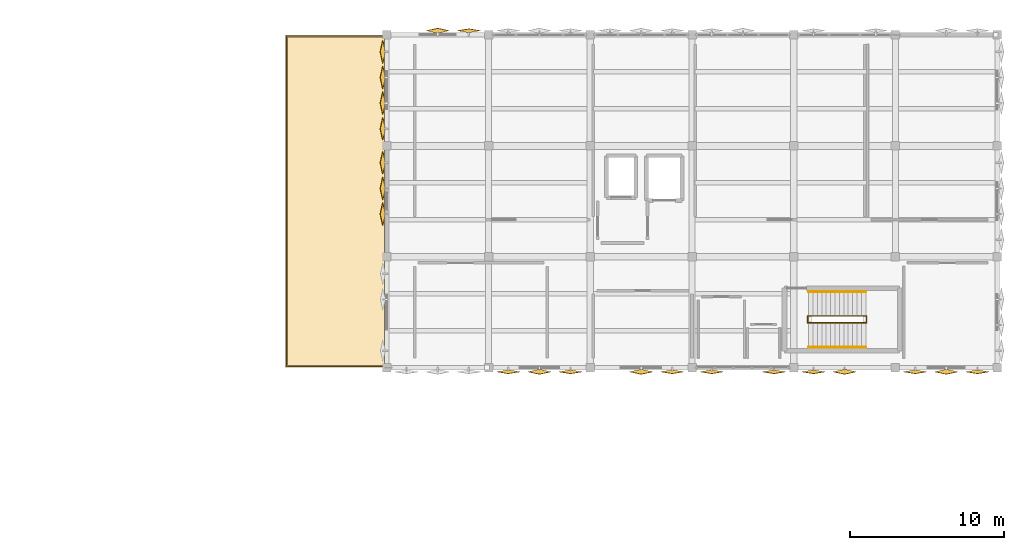
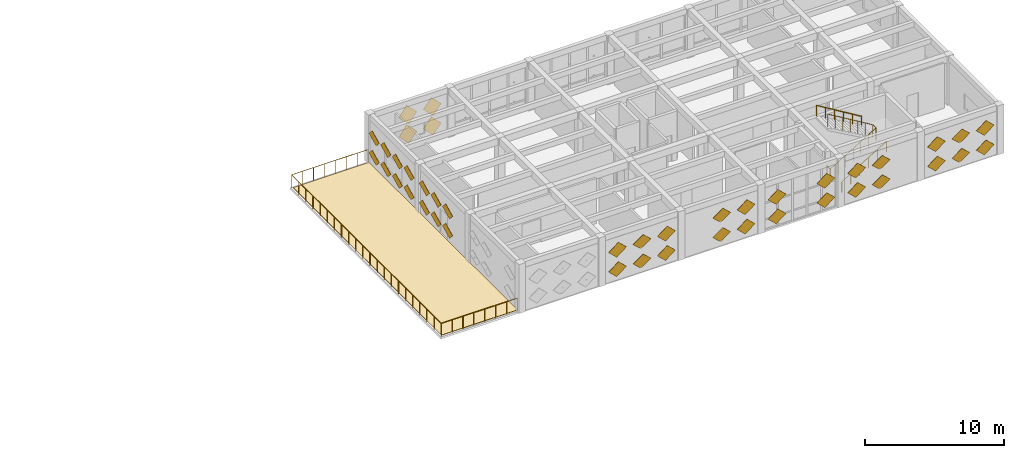
# One storey, part 38 of 39: 43 coverings, 5 railings.
"""IFC4 building model written with IfcOpenShell, lengths in metres."""

from ifc_helpers import new_model, si_unit, direction, frame, origin, origin_2d, place, context, subcontext, project, spatial, polyline, circle, outline, extrude, material, layer, layer_set, type_object, element, save


model = new_model("IFC4")

# Units and contexts
model_context = context("Model", 3, precision=1e-05, world=origin(), true_north=direction((0.0, 1.0)))
body_context = subcontext(model_context, "Body", "Model", "MODEL_VIEW")
ifc_project = project(units=[si_unit("LENGTHUNIT", "METRE"), si_unit("AREAUNIT", "SQUARE_METRE"), si_unit("VOLUMEUNIT", "CUBIC_METRE"), si_unit("PLANEANGLEUNIT", "RADIAN"), si_unit("MASSUNIT", "GRAM", prefix="KILO")], contexts=[model_context])

# Site, building, storey
site_placement = place(None, origin())
site = spatial("IfcSite", under=ifc_project, at=site_placement, CompositionType="ELEMENT")
building_placement = place(site_placement, origin())
building = spatial("IfcBuilding", under=site, at=building_placement, Name="Kharisveld Research Institute", CompositionType="ELEMENT")
storey_placement = place(building_placement, frame((0.0, 0.0, 23.10009765625)))
storey = spatial("IfcBuildingStorey", under=building, at=storey_placement, Name="L05", CompositionType="ELEMENT", Elevation=23.10009765625)

# Covering
ifc_material_1 = material(Name="High-Albedo TPO Roof Membrane", Category="mineral")
ifc_layer = layer(ifc_material_1, 0.034912109375)
ifc_layer_set = layer_set([ifc_layer], Name="CV_ROOF_EPDM")
covering_type_1 = type_object("IfcCoveringType", Name="CV_ROOF_EPDM", PredefinedType="ROOFING", material=ifc_layer_set)
covering_1_placement = place(storey_placement, origin())
element("IfcCovering", 1, at=covering_1_placement, inside=storey, type_object=covering_type_1, Name="COV:V2:L05:TERMEM", PredefinedType="ROOFING", context=body_context, shape_type="SweptSolid", body=[
    extrude(outline(polyline([(114.75, 39.35009765625), (121.050048828125, 39.35009765625), (121.050048828125, 60.64990234375), (114.75, 60.64990234375), (114.75, 39.35009765625)])), origin(), (0.0, 0.0, 1.0), 0.034912109375),
])

# Railings
ifc_material_2 = material(Name="Steel S355JR", Category="steel")
railing_type_1 = type_object("IfcRailingType", Name="RL_GRD_STR", PredefinedType="GUARDRAIL", material=ifc_material_2)
railing_1_placement = place(storey_placement, frame((148.570068359375, 42.110107421875, 0.0)))
element("IfcRailing", 2, at=railing_1_placement, inside=storey, type_object=railing_type_1, Name="RLG:ST3:L05:GRD_SLOT", PredefinedType="GUARDRAIL", context=body_context, shape_type="SweptSolid", body=[
    extrude(circle(Radius=0.02392578125, at=origin_2d()), frame((0.0, 0.0, 1.09619140625), z_axis=(0.857182128291, 0.0, 0.515013396853), x_axis=(0.0, 1.0, 0.0)), (0.0, 0.0, 1.0), 4.368896484375),
    extrude(circle(Radius=0.02392578125, at=origin_2d()), frame((3.744873046875, 0.0, 3.34619140625), z_axis=(0.0, 1.0, 0.0), x_axis=(-1.0, 0.0, 0.0)), (0.0, 0.0, 1.0), 0.43994140625),
    extrude(circle(Radius=0.02392578125, at=origin_2d()), frame((3.744873046875, 0.43994140625, 3.34619140625), z_axis=(-0.857182128291, 0.0, 0.515013396853), x_axis=(0.0, -1.0, 0.0)), (0.0, 0.0, 1.0), 4.368896484375),
    extrude(circle(Radius=0.02099609375, at=origin_2d()), origin(), (0.0, 0.0, 1.0), 1.072021484375),
    extrude(circle(Radius=0.02099609375, at=origin_2d()), frame((0.6240234375, 0.0, 0.375)), (0.0, 0.0, 1.0), 1.072021484375),
    extrude(circle(Radius=0.02099609375, at=origin_2d()), frame((1.248291015625, 0.0, 0.75)), (0.0, 0.0, 1.0), 1.072021484375),
    extrude(circle(Radius=0.02099609375, at=origin_2d()), frame((1.87255859375, 0.0, 1.125)), (0.0, 0.0, 1.0), 1.072021484375),
    extrude(circle(Radius=0.02099609375, at=origin_2d()), frame((2.49658203125, 0.0, 1.5)), (0.0, 0.0, 1.0), 1.072021484375),
    extrude(circle(Radius=0.02099609375, at=origin_2d()), frame((3.12060546875, 0.0, 1.875)), (0.0, 0.0, 1.0), 1.072021484375),
    extrude(circle(Radius=0.02099609375, at=origin_2d()), frame((3.744873046875, 0.0, 2.25)), (0.0, 0.0, 1.0), 1.072021484375),
    extrude(circle(Radius=0.02099609375, at=origin_2d()), frame((3.744873046875, 0.43994140625, 2.25)), (0.0, 0.0, 1.0), 1.072021484375),
    extrude(circle(Radius=0.02099609375, at=origin_2d()), frame((3.12060546875, 0.43994140625, 2.625)), (0.0, 0.0, 1.0), 1.072021484375),
    extrude(circle(Radius=0.02099609375, at=origin_2d()), frame((2.49658203125, 0.43994140625, 3.0)), (0.0, 0.0, 1.0), 1.072021484375),
    extrude(circle(Radius=0.02099609375, at=origin_2d()), frame((1.87255859375, 0.43994140625, 3.375)), (0.0, 0.0, 1.0), 1.072021484375),
    extrude(circle(Radius=0.02099609375, at=origin_2d()), frame((1.248291015625, 0.43994140625, 3.75)), (0.0, 0.0, 1.0), 1.072021484375),
    extrude(circle(Radius=0.02099609375, at=origin_2d()), frame((0.6240234375, 0.43994140625, 4.125)), (0.0, 0.0, 1.0), 1.072021484375),
    extrude(circle(Radius=0.02099609375, at=origin_2d()), frame((0.0, 0.43994140625, 4.5)), (0.0, 0.0, 1.0), 1.072021484375),
])
railing_2_placement = place(storey_placement, frame((148.510009765625, 42.110107421875, 0.0)))
element("IfcRailing", 3, at=railing_2_placement, inside=storey, type_object=railing_type_1, Name="RLG:ST3:L05:GRD_FLRSLOT", PredefinedType="GUARDRAIL", context=body_context, shape_type="SweptSolid", body=[
    extrude(circle(Radius=0.02392578125, at=origin_2d()), frame((0.0, 0.0, 1.09619140625), z_axis=(0.0, 1.0, 0.0), x_axis=(-1.0, 0.0, 0.0)), (0.0, 0.0, 1.0), 0.43994140625),
    extrude(circle(Radius=0.02099609375, at=origin_2d()), origin(), (0.0, 0.0, 1.0), 1.072021484375),
    extrude(circle(Radius=0.02099609375, at=origin_2d()), frame((0.0, 0.43994140625, 0.0)), (0.0, 0.0, 1.0), 1.072021484375),
])
ifc_material_3 = material(Name="Steel S355JR", Category="steel")
railing_type_2 = type_object("IfcRailingType", Name="RL_GRD_TER", PredefinedType="GUARDRAIL", material=ifc_material_3)
railing_3_placement = place(storey_placement, frame((121.0, 60.719970703125, 0.0)))
element("IfcRailing", 4, at=railing_3_placement, inside=storey, type_object=railing_type_2, Name="RLG:V2:L05:TERRACE", PredefinedType="GUARDRAIL", context=body_context, shape_type="SweptSolid", body=[
    extrude(circle(Radius=0.02392578125, at=origin_2d()), frame((0.0, 0.0, 1.1259765625), z_axis=(-1.0, 0.0, 0.0), x_axis=(0.0, -1.0, 0.0)), (0.0, 0.0, 1.0), 6.320068359375),
    extrude(circle(Radius=0.02392578125, at=origin_2d()), frame((-6.320068359375, 0.0, 1.1259765625), z_axis=(0.0, -1.0, 0.0), x_axis=(1.0, 0.0, 0.0)), (0.0, 0.0, 1.0), 21.43994140625),
    extrude(circle(Radius=0.02392578125, at=origin_2d()), frame((-6.320068359375, -21.43994140625, 1.1259765625), z_axis=(1.0, 0.0, 0.0), x_axis=(0.0, 1.0, 0.0)), (0.0, 0.0, 1.0), 6.320068359375),
    extrude(circle(Radius=0.02099609375, at=origin_2d()), origin(), (0.0, 0.0, 1.0), 1.101806640625),
    extrude(circle(Radius=0.02099609375, at=origin_2d()), frame((-0.90283203125, 0.0, 0.0)), (0.0, 0.0, 1.0), 1.101806640625),
    extrude(circle(Radius=0.02099609375, at=origin_2d()), frame((-1.8056640625, 0.0, 0.0)), (0.0, 0.0, 1.0), 1.101806640625),
    extrude(circle(Radius=0.02099609375, at=origin_2d()), frame((-2.70849609375, 0.0, 0.0)), (0.0, 0.0, 1.0), 1.101806640625),
    extrude(circle(Radius=0.02099609375, at=origin_2d()), frame((-3.611572265625, 0.0, 0.0)), (0.0, 0.0, 1.0), 1.101806640625),
    extrude(circle(Radius=0.02099609375, at=origin_2d()), frame((-4.514404296875, 0.0, 0.0)), (0.0, 0.0, 1.0), 1.101806640625),
    extrude(circle(Radius=0.02099609375, at=origin_2d()), frame((-5.417236328125, 0.0, 0.0)), (0.0, 0.0, 1.0), 1.101806640625),
    extrude(circle(Radius=0.02099609375, at=origin_2d()), frame((-6.320068359375, 0.0, 0.0)), (0.0, 0.0, 1.0), 1.101806640625),
    extrude(circle(Radius=0.02099609375, at=origin_2d()), frame((-6.320068359375, -1.02099609375, 0.0)), (0.0, 0.0, 1.0), 1.101806640625),
    extrude(circle(Radius=0.02099609375, at=origin_2d()), frame((-6.320068359375, -2.0419921875, 0.0)), (0.0, 0.0, 1.0), 1.101806640625),
    extrude(circle(Radius=0.02099609375, at=origin_2d()), frame((-6.320068359375, -3.062744140625, 0.0)), (0.0, 0.0, 1.0), 1.101806640625),
    extrude(circle(Radius=0.02099609375, at=origin_2d()), frame((-6.320068359375, -4.083740234375, 0.0)), (0.0, 0.0, 1.0), 1.101806640625),
    extrude(circle(Radius=0.02099609375, at=origin_2d()), frame((-6.320068359375, -5.104736328125, 0.0)), (0.0, 0.0, 1.0), 1.101806640625),
    extrude(circle(Radius=0.02099609375, at=origin_2d()), frame((-6.320068359375, -6.125732421875, 0.0)), (0.0, 0.0, 1.0), 1.101806640625),
    extrude(circle(Radius=0.02099609375, at=origin_2d()), frame((-6.320068359375, -7.146728515625, 0.0)), (0.0, 0.0, 1.0), 1.101806640625),
    extrude(circle(Radius=0.02099609375, at=origin_2d()), frame((-6.320068359375, -8.16748046875, 0.0)), (0.0, 0.0, 1.0), 1.101806640625),
    extrude(circle(Radius=0.02099609375, at=origin_2d()), frame((-6.320068359375, -9.1884765625, 0.0)), (0.0, 0.0, 1.0), 1.101806640625),
    extrude(circle(Radius=0.02099609375, at=origin_2d()), frame((-6.320068359375, -10.20947265625, 0.0)), (0.0, 0.0, 1.0), 1.101806640625),
    extrude(circle(Radius=0.02099609375, at=origin_2d()), frame((-6.320068359375, -11.23046875, 0.0)), (0.0, 0.0, 1.0), 1.101806640625),
    extrude(circle(Radius=0.02099609375, at=origin_2d()), frame((-6.320068359375, -12.25146484375, 0.0)), (0.0, 0.0, 1.0), 1.101806640625),
    extrude(circle(Radius=0.02099609375, at=origin_2d()), frame((-6.320068359375, -13.2724609375, 0.0)), (0.0, 0.0, 1.0), 1.101806640625),
    extrude(circle(Radius=0.02099609375, at=origin_2d()), frame((-6.320068359375, -14.293212890625, 0.0)), (0.0, 0.0, 1.0), 1.101806640625),
    extrude(circle(Radius=0.02099609375, at=origin_2d()), frame((-6.320068359375, -15.314208984375, 0.0)), (0.0, 0.0, 1.0), 1.101806640625),
    extrude(circle(Radius=0.02099609375, at=origin_2d()), frame((-6.320068359375, -16.335205078125, 0.0)), (0.0, 0.0, 1.0), 1.101806640625),
    extrude(circle(Radius=0.02099609375, at=origin_2d()), frame((-6.320068359375, -17.356201171875, 0.0)), (0.0, 0.0, 1.0), 1.101806640625),
    extrude(circle(Radius=0.02099609375, at=origin_2d()), frame((-6.320068359375, -18.377197265625, 0.0)), (0.0, 0.0, 1.0), 1.101806640625),
    extrude(circle(Radius=0.02099609375, at=origin_2d()), frame((-6.320068359375, -19.39794921875, 0.0)), (0.0, 0.0, 1.0), 1.101806640625),
    extrude(circle(Radius=0.02099609375, at=origin_2d()), frame((-6.320068359375, -20.4189453125, 0.0)), (0.0, 0.0, 1.0), 1.101806640625),
    extrude(circle(Radius=0.02099609375, at=origin_2d()), frame((-6.320068359375, -21.43994140625, 0.0)), (0.0, 0.0, 1.0), 1.101806640625),
    extrude(circle(Radius=0.02099609375, at=origin_2d()), frame((-5.417236328125, -21.43994140625, 0.0)), (0.0, 0.0, 1.0), 1.101806640625),
    extrude(circle(Radius=0.02099609375, at=origin_2d()), frame((-4.514404296875, -21.43994140625, 0.0)), (0.0, 0.0, 1.0), 1.101806640625),
    extrude(circle(Radius=0.02099609375, at=origin_2d()), frame((-3.611572265625, -21.43994140625, 0.0)), (0.0, 0.0, 1.0), 1.101806640625),
    extrude(circle(Radius=0.02099609375, at=origin_2d()), frame((-2.70849609375, -21.43994140625, 0.0)), (0.0, 0.0, 1.0), 1.101806640625),
    extrude(circle(Radius=0.02099609375, at=origin_2d()), frame((-1.8056640625, -21.43994140625, 0.0)), (0.0, 0.0, 1.0), 1.101806640625),
    extrude(circle(Radius=0.02099609375, at=origin_2d()), frame((-0.90283203125, -21.43994140625, 0.0)), (0.0, 0.0, 1.0), 1.101806640625),
    extrude(circle(Radius=0.02099609375, at=origin_2d()), frame((0.0, -21.43994140625, 0.0)), (0.0, 0.0, 1.0), 1.101806640625),
])
ifc_material_4 = material(Name="Stainless Steel 316", Category="steel")
railing_type_3 = type_object("IfcRailingType", Name="RL_HND_STR", PredefinedType="HANDRAIL", material=ifc_material_4)
railing_4_placement = place(storey_placement, frame((148.570068359375, 40.530029296875, 0.0)))
element("IfcRailing", 5, at=railing_4_placement, inside=storey, type_object=railing_type_3, Name="RLG:ST3:L05:HR1", PredefinedType="HANDRAIL", context=body_context, shape_type="SweptSolid", body=[
    extrude(circle(Radius=0.02392578125, at=origin_2d()), frame((0.0, 0.0, 0.89599609375), z_axis=(0.854722365387, 0.0, 0.519085424673), x_axis=(0.0, 1.0, 0.0)), (0.0, 0.0, 1.0), 4.33447265625),
    extrude(circle(Radius=0.02099609375, at=origin_2d()), origin(), (0.0, 0.0, 1.0), 0.871826171875),
    extrude(circle(Radius=0.02099609375, at=origin_2d()), frame((0.740966796875, 0.0, 0.449951171875)), (0.0, 0.0, 1.0), 0.871826171875),
    extrude(circle(Radius=0.02099609375, at=origin_2d()), frame((1.48193359375, 0.0, 0.89990234375)), (0.0, 0.0, 1.0), 0.871826171875),
    extrude(circle(Radius=0.02099609375, at=origin_2d()), frame((2.222900390625, 0.0, 1.35009765625)), (0.0, 0.0, 1.0), 0.871826171875),
    extrude(circle(Radius=0.02099609375, at=origin_2d()), frame((2.9638671875, 0.0, 1.800048828125)), (0.0, 0.0, 1.0), 0.871826171875),
    extrude(circle(Radius=0.02099609375, at=origin_2d()), frame((3.704833984375, 0.0, 2.25)), (0.0, 0.0, 1.0), 0.871826171875),
])
railing_5_placement = place(storey_placement, frame((152.27490234375, 44.1298828125, 2.25)))
element("IfcRailing", 6, at=railing_5_placement, inside=storey, type_object=railing_type_3, Name="RLG:ST3:L05:HR2", PredefinedType="HANDRAIL", context=body_context, shape_type="SweptSolid", body=[
    extrude(circle(Radius=0.02392578125, at=origin_2d()), frame((0.0, 0.0, 0.89599609375), z_axis=(-0.854722365387, 0.0, 0.519085424673), x_axis=(0.0, -1.0, 0.0)), (0.0, 0.0, 1.0), 4.33447265625),
    extrude(circle(Radius=0.02099609375, at=origin_2d()), origin(), (0.0, 0.0, 1.0), 0.871826171875),
    extrude(circle(Radius=0.02099609375, at=origin_2d()), frame((-0.740966796875, 0.0, 0.449951171875)), (0.0, 0.0, 1.0), 0.871826171875),
    extrude(circle(Radius=0.02099609375, at=origin_2d()), frame((-1.48193359375, 0.0, 0.89990234375)), (0.0, 0.0, 1.0), 0.871826171875),
    extrude(circle(Radius=0.02099609375, at=origin_2d()), frame((-2.222900390625, 0.0, 1.35009765625)), (0.0, 0.0, 1.0), 0.871826171875),
    extrude(circle(Radius=0.02099609375, at=origin_2d()), frame((-2.9638671875, 0.0, 1.800048828125)), (0.0, 0.0, 1.0), 0.871826171875),
    extrude(circle(Radius=0.02099609375, at=origin_2d()), frame((-3.704833984375, 0.0, 2.25)), (0.0, 0.0, 1.0), 0.871826171875),
])

# Coverings
ifc_material_5 = material(Name="White Powder-Coated Perforated Aluminium", Category="aluminium")
covering_type_2 = type_object("IfcCoveringType", Name="CV_DIA_105", PredefinedType="CLADDING")
for number, where, z_axis, x_axis, name in (
    (7, (121.1005859375, 49.16748046875, 0.324951171875), (0.97631069788, 0.0, 0.216373337556), (-0.153000063457, 0.707102116981, 0.6903604687), "SHD:V2:L05:W1:S1C0"),
    (8, (121.1005859375, 49.16748046875, 2.025146484375), (0.97631069788, 0.0, 0.216373337556), (-0.153000063457, 0.707102116981, 0.6903604687), "SHD:V2:L05:W1:S1C1"),
    (9, (121.1005859375, 50.83251953125, 0.324951171875), (0.97631069788, 0.0, 0.216373337556), (-0.153000063457, 0.707102116981, 0.6903604687), "SHD:V2:L05:W1:S2C0"),
    (10, (121.1005859375, 50.83251953125, 2.025146484375), (0.97631069788, 0.0, 0.216373337556), (-0.153000063457, 0.707102116981, 0.6903604687), "SHD:V2:L05:W1:S2C1"),
    (11, (121.1005859375, 52.49755859375, 0.324951171875), (0.97631069788, 0.0, 0.216373337556), (-0.153000063457, 0.707102116981, 0.6903604687), "SHD:V2:L05:W1:S3C0"),
    (12, (121.1005859375, 52.49755859375, 2.025146484375), (0.97631069788, 0.0, 0.216373337556), (-0.153000063457, 0.707102116981, 0.6903604687), "SHD:V2:L05:W1:S3C1"),
):
    element("IfcCovering", number, at=place(storey_placement, frame(where, z_axis=z_axis, x_axis=x_axis)), inside=storey, type_object=covering_type_2, material=ifc_material_5, Name=name, PredefinedType="CLADDING", context=body_context, shape_type="SweptSolid", body=[
        extrude(outline(polyline([(0.0, 0.0), (1.0499638210603182, 0.0), (1.0499776725217052, 1.0499638209689517), (1.3851461386993336e-05, 1.0499638209689517), (0.0, 0.0)])), origin(), (0.0, 0.0, -1.0), 0.02392578125),
    ])
for number, where, z_axis, x_axis, name in (
    (13, (121.1005859375, 54.702392578125, 0.324951171875), (0.97631069788, 0.0, 0.216373337556), (-0.152974909648, 0.707218351292, 0.690246970738), "SHD:V2:L05:W2:S0C0"),
    (14, (121.1005859375, 54.702392578125, 2.025146484375), (0.97631069788, 0.0, 0.216373337556), (-0.152974909648, 0.707218351292, 0.690246970738), "SHD:V2:L05:W2:S0C1"),
):
    element("IfcCovering", number, at=place(storey_placement, frame(where, z_axis=z_axis, x_axis=x_axis)), inside=storey, type_object=covering_type_2, material=ifc_material_5, Name=name, PredefinedType="CLADDING", context=body_context, shape_type="SweptSolid", body=[
        extrude(outline(polyline([(0.0, 0.0), (1.0501364676030216, 1.1102230246251565e-16), (1.0498050520855338, 1.0501364153068435), (-0.00015875478719196146, 1.0499638090584367), (0.0, 0.0)])), origin(), (0.0, 0.0, -1.0), 0.02392578125),
    ])
for number, where, z_axis, x_axis, name in (
    (15, (121.1005859375, 56.367431640625, 0.324951171875), (0.97631069788, 0.0, 0.216373337556), (-0.153000063457, 0.707102116981, 0.6903604687), "SHD:V2:L05:W2:S1C0"),
    (16, (121.1005859375, 56.367431640625, 2.025146484375), (0.97631069788, 0.0, 0.216373337556), (-0.153000063457, 0.707102116981, 0.6903604687), "SHD:V2:L05:W2:S1C1"),
    (17, (121.1005859375, 58.032470703125, 0.324951171875), (0.97631069788, 0.0, 0.216373337556), (-0.153000063457, 0.707102116981, 0.6903604687), "SHD:V2:L05:W2:S2C0"),
    (18, (121.1005859375, 58.032470703125, 2.025146484375), (0.97631069788, 0.0, 0.216373337556), (-0.153000063457, 0.707102116981, 0.6903604687), "SHD:V2:L05:W2:S2C1"),
    (19, (121.1005859375, 59.697509765625, 0.324951171875), (0.97631069788, 0.0, 0.216373337556), (-0.153000063457, 0.707102116981, 0.6903604687), "SHD:V2:L05:W2:S3C0"),
    (20, (121.1005859375, 59.697509765625, 2.025146484375), (0.97631069788, 0.0, 0.216373337556), (-0.153000063457, 0.707102116981, 0.6903604687), "SHD:V2:L05:W2:S3C1"),
    (21, (124.5, 60.8994140625, 0.324951171875), (0.0, -0.97631069788, 0.216373337556), (0.707102116981, 0.153000063457, 0.6903604687), "SHD:V2:L05:N1:S1C0"),
    (22, (124.5, 60.8994140625, 2.025146484375), (0.0, -0.97631069788, 0.216373337556), (0.707102116981, 0.153000063457, 0.6903604687), "SHD:V2:L05:N1:S1C1"),
):
    element("IfcCovering", number, at=place(storey_placement, frame(where, z_axis=z_axis, x_axis=x_axis)), inside=storey, type_object=covering_type_2, material=ifc_material_5, Name=name, PredefinedType="CLADDING", context=body_context, shape_type="SweptSolid", body=[
        extrude(outline(polyline([(0.0, 0.0), (1.0499638210603182, 0.0), (1.0499776725217052, 1.0499638209689517), (1.3851461386993336e-05, 1.0499638209689517), (0.0, 0.0)])), origin(), (0.0, 0.0, -1.0), 0.02392578125),
    ])
covering_2_placement = place(storey_placement, frame((126.52001953125, 60.9375, 0.317626953125), z_axis=(0.0, -0.986282612269, 0.165065468031), x_axis=(0.707138821552, 0.116713622787, 0.697375521014)))
element("IfcCovering", 23, at=covering_2_placement, inside=storey, type_object=covering_type_2, material=ifc_material_5, Name="SHD:V2:L05:N1:S2C0", PredefinedType="CLADDING", context=body_context, shape_type="SweptSolid", body=[
    extrude(outline(polyline([(0.0, 0.0), (1.049909321899567, 0.0), (1.0499844306250534, 1.0500795907141018), (-9.51489700736774e-05, 1.049909317588087), (0.0, 0.0)])), origin(), (0.0, 0.0, -1.0), 0.02392578125),
])
covering_3_placement = place(storey_placement, frame((126.52001953125, 60.9375, 2.017578125), z_axis=(0.0, -0.986282612269, 0.165065468031), x_axis=(0.707024158255, 0.116732548384, 0.697488603341)))
element("IfcCovering", 24, at=covering_3_placement, inside=storey, type_object=covering_type_2, material=ifc_material_5, Name="SHD:V2:L05:N1:S2C1", PredefinedType="CLADDING", context=body_context, shape_type="SweptSolid", body=[
    extrude(outline(polyline([(0.0, 0.0), (1.0500795934002414, -1.1102230246251565e-16), (1.0501546899467695, 1.0499093192138629), (0.0002453818500782745, 1.0500795647299133), (0.0, 0.0)])), origin(), (0.0, 0.0, -1.0), 0.02392578125),
])
covering_4_placement = place(storey_placement, frame((159.52001953125, 39.0625, 0.317626953125), z_axis=(0.0, 0.986282612269, 0.165065468031), x_axis=(-0.707138821552, -0.116713622787, 0.697375521014)))
element("IfcCovering", 25, at=covering_4_placement, inside=storey, type_object=covering_type_2, material=ifc_material_5, Name="SHD:V2:L05:S7:S0C0", PredefinedType="CLADDING", context=body_context, shape_type="SweptSolid", body=[
    extrude(outline(polyline([(0.0, 0.0), (1.049909321899567, 0.0), (1.0499844306250534, 1.0500795907141018), (-9.51489700736774e-05, 1.049909317588087), (0.0, 0.0)])), origin(), (0.0, 0.0, -1.0), 0.02392578125),
])
covering_5_placement = place(storey_placement, frame((159.52001953125, 39.0625, 2.017578125), z_axis=(0.0, 0.986282612269, 0.165065468031), x_axis=(-0.707024158255, -0.116732548384, 0.697488603341)))
element("IfcCovering", 26, at=covering_5_placement, inside=storey, type_object=covering_type_2, material=ifc_material_5, Name="SHD:V2:L05:S7:S0C1", PredefinedType="CLADDING", context=body_context, shape_type="SweptSolid", body=[
    extrude(outline(polyline([(0.0, 0.0), (1.0500795934002414, -1.1102230246251565e-16), (1.0501546899467695, 1.0499093192138629), (0.0002453818500782745, 1.0500795647299133), (0.0, 0.0)])), origin(), (0.0, 0.0, -1.0), 0.02392578125),
])
for number, where, z_axis, x_axis, name in (
    (27, (157.5, 39.1005859375, 0.324951171875), (0.0, 0.97631069788, 0.216373337556), (-0.707102116981, -0.153000063457, 0.6903604687), "SHD:V2:L05:S7:S1C0"),
    (28, (157.5, 39.1005859375, 2.025146484375), (0.0, 0.97631069788, 0.216373337556), (-0.707102116981, -0.153000063457, 0.6903604687), "SHD:V2:L05:S7:S1C1"),
):
    element("IfcCovering", number, at=place(storey_placement, frame(where, z_axis=z_axis, x_axis=x_axis)), inside=storey, type_object=covering_type_2, material=ifc_material_5, Name=name, PredefinedType="CLADDING", context=body_context, shape_type="SweptSolid", body=[
        extrude(outline(polyline([(0.0, 0.0), (1.0499638210603182, 0.0), (1.0499776725217052, 1.0499638209689517), (1.3851461386993336e-05, 1.0499638209689517), (0.0, 0.0)])), origin(), (0.0, 0.0, -1.0), 0.02392578125),
    ])
covering_6_placement = place(storey_placement, frame((155.47998046875, 39.0625, 0.317626953125), z_axis=(0.0, 0.986282612269, 0.165065468031), x_axis=(-0.707138821552, -0.116713622787, 0.697375521014)))
element("IfcCovering", 29, at=covering_6_placement, inside=storey, type_object=covering_type_2, material=ifc_material_5, Name="SHD:V2:L05:S7:S2C0", PredefinedType="CLADDING", context=body_context, shape_type="SweptSolid", body=[
    extrude(outline(polyline([(0.0, 0.0), (1.049909321899567, 0.0), (1.0499844306250534, 1.0500795907141018), (-9.51489700736774e-05, 1.049909317588087), (0.0, 0.0)])), origin(), (0.0, 0.0, -1.0), 0.02392578125),
])
covering_7_placement = place(storey_placement, frame((155.47998046875, 39.0625, 2.017578125), z_axis=(0.0, 0.986282612269, 0.165065468031), x_axis=(-0.707024158255, -0.116732548384, 0.697488603341)))
element("IfcCovering", 30, at=covering_7_placement, inside=storey, type_object=covering_type_2, material=ifc_material_5, Name="SHD:V2:L05:S7:S2C1", PredefinedType="CLADDING", context=body_context, shape_type="SweptSolid", body=[
    extrude(outline(polyline([(0.0, 0.0), (1.0500795934002414, -1.1102230246251565e-16), (1.0501546899467695, 1.0499093192138629), (0.0002453818500782745, 1.0500795647299133), (0.0, 0.0)])), origin(), (0.0, 0.0, -1.0), 0.02392578125),
])
for number, where, z_axis, x_axis, name in (
    (31, (150.89990234375, 39.1005859375, 0.324951171875), (0.0, 0.97631069788, 0.216373337556), (-0.707102116981, -0.153000063457, 0.6903604687), "SHD:V2:L05:S6:S1C0"),
    (32, (150.89990234375, 39.1005859375, 2.025146484375), (0.0, 0.97631069788, 0.216373337556), (-0.707102116981, -0.153000063457, 0.6903604687), "SHD:V2:L05:S6:S1C1"),
):
    element("IfcCovering", number, at=place(storey_placement, frame(where, z_axis=z_axis, x_axis=x_axis)), inside=storey, type_object=covering_type_2, material=ifc_material_5, Name=name, PredefinedType="CLADDING", context=body_context, shape_type="SweptSolid", body=[
        extrude(outline(polyline([(0.0, 0.0), (1.0499638210603182, 0.0), (1.0499776725217052, 1.0499638209689517), (-0.00015878089139154117, 1.050136455599167), (0.0, 0.0)])), origin(), (0.0, 0.0, -1.0), 0.02392578125),
    ])
covering_8_placement = place(storey_placement, frame((148.8798828125, 39.0625, 0.317626953125), z_axis=(0.0, 0.986282612269, 0.165065468031), x_axis=(-0.707138821552, -0.116713622787, 0.697375521014)))
element("IfcCovering", 33, at=covering_8_placement, inside=storey, type_object=covering_type_2, material=ifc_material_5, Name="SHD:V2:L05:S6:S2C0", PredefinedType="CLADDING", context=body_context, shape_type="SweptSolid", body=[
    extrude(outline(polyline([(0.0, 0.0), (1.049909321899567, 0.0), (1.0499844306250534, 1.0500795907141018), (-0.0002677902839293145, 1.0500819432568782), (0.0, 0.0)])), origin(), (0.0, 0.0, -1.0), 0.02392578125),
])
covering_9_placement = place(storey_placement, frame((148.8798828125, 39.0625, 2.017578125), z_axis=(0.0, 0.986282612269, 0.165065468031), x_axis=(-0.707024158255, -0.116732548384, 0.697488603341)))
element("IfcCovering", 34, at=covering_9_placement, inside=storey, type_object=covering_type_2, material=ifc_material_5, Name="SHD:V2:L05:S6:S2C1", PredefinedType="CLADDING", context=body_context, shape_type="SweptSolid", body=[
    extrude(outline(polyline([(0.0, 0.0), (1.0500795934002414, -1.1102230246251565e-16), (1.0501546899467695, 1.0499093192138629), (7.276853019166918e-05, 1.050252218390671), (0.0, 0.0)])), origin(), (0.0, 0.0, -1.0), 0.02392578125),
])
covering_10_placement = place(storey_placement, frame((146.320068359375, 39.0625, 0.317626953125), z_axis=(0.0, 0.986282612269, 0.165065468031), x_axis=(-0.707138821552, -0.116713622787, 0.697375521014)))
element("IfcCovering", 35, at=covering_10_placement, inside=storey, type_object=covering_type_2, material=ifc_material_5, Name="SHD:V2:L05:S5:S0C0", PredefinedType="CLADDING", context=body_context, shape_type="SweptSolid", body=[
    extrude(outline(polyline([(0.0, 0.0), (1.049909321899567, 0.0), (1.0499844306250534, 1.0500795907141018), (-9.51489700736774e-05, 1.049909317588087), (0.0, 0.0)])), origin(), (0.0, 0.0, -1.0), 0.02392578125),
])
covering_11_placement = place(storey_placement, frame((146.320068359375, 39.0625, 2.017578125), z_axis=(0.0, 0.986282612269, 0.165065468031), x_axis=(-0.707024158255, -0.116732548384, 0.697488603341)))
element("IfcCovering", 36, at=covering_11_placement, inside=storey, type_object=covering_type_2, material=ifc_material_5, Name="SHD:V2:L05:S5:S0C1", PredefinedType="CLADDING", context=body_context, shape_type="SweptSolid", body=[
    extrude(outline(polyline([(0.0, 0.0), (1.0500795934002414, -1.1102230246251565e-16), (1.0501546899467695, 1.0499093192138629), (0.0002453818500782745, 1.0500795647299133), (0.0, 0.0)])), origin(), (0.0, 0.0, -1.0), 0.02392578125),
])
covering_12_placement = place(storey_placement, frame((142.280029296875, 39.0625, 0.317626953125), z_axis=(0.0, 0.986282612269, 0.165065468031), x_axis=(-0.707138821552, -0.116713622787, 0.697375521014)))
element("IfcCovering", 37, at=covering_12_placement, inside=storey, type_object=covering_type_2, material=ifc_material_5, Name="SHD:V2:L05:S5:S2C0", PredefinedType="CLADDING", context=body_context, shape_type="SweptSolid", body=[
    extrude(outline(polyline([(0.0, 0.0), (1.049909321899567, 0.0), (1.0499844306250534, 1.0500795907141018), (-9.51489700736774e-05, 1.049909317588087), (0.0, 0.0)])), origin(), (0.0, 0.0, -1.0), 0.02392578125),
])
covering_13_placement = place(storey_placement, frame((142.280029296875, 39.0625, 2.017578125), z_axis=(0.0, 0.986282612269, 0.165065468031), x_axis=(-0.707024158255, -0.116732548384, 0.697488603341)))
element("IfcCovering", 38, at=covering_13_placement, inside=storey, type_object=covering_type_2, material=ifc_material_5, Name="SHD:V2:L05:S5:S2C1", PredefinedType="CLADDING", context=body_context, shape_type="SweptSolid", body=[
    extrude(outline(polyline([(0.0, 0.0), (1.0500795934002414, -1.1102230246251565e-16), (1.0501546899467695, 1.0499093192138629), (0.0002453818500782745, 1.0500795647299133), (0.0, 0.0)])), origin(), (0.0, 0.0, -1.0), 0.02392578125),
])
covering_14_placement = place(storey_placement, frame((139.719970703125, 39.0625, 0.317626953125), z_axis=(0.0, 0.986282612269, 0.165065468031), x_axis=(-0.707138821552, -0.116713622787, 0.697375521014)))
element("IfcCovering", 39, at=covering_14_placement, inside=storey, type_object=covering_type_2, material=ifc_material_5, Name="SHD:V2:L05:S4:S0C0", PredefinedType="CLADDING", context=body_context, shape_type="SweptSolid", body=[
    extrude(outline(polyline([(0.0, 0.0), (1.049909321899567, 0.0), (1.0499844306250534, 1.0500795907141018), (-9.51489700736774e-05, 1.049909317588087), (0.0, 0.0)])), origin(), (0.0, 0.0, -1.0), 0.02392578125),
])
covering_15_placement = place(storey_placement, frame((139.719970703125, 39.0625, 2.017578125), z_axis=(0.0, 0.986282612269, 0.165065468031), x_axis=(-0.707024158255, -0.116732548384, 0.697488603341)))
element("IfcCovering", 40, at=covering_15_placement, inside=storey, type_object=covering_type_2, material=ifc_material_5, Name="SHD:V2:L05:S4:S0C1", PredefinedType="CLADDING", context=body_context, shape_type="SweptSolid", body=[
    extrude(outline(polyline([(0.0, 0.0), (1.0500795934002414, -1.1102230246251565e-16), (1.0501546899467695, 1.0499093192138629), (0.0002453818500782745, 1.0500795647299133), (0.0, 0.0)])), origin(), (0.0, 0.0, -1.0), 0.02392578125),
])
for number, where, z_axis, x_axis, name in (
    (41, (137.699951171875, 39.1005859375, 0.324951171875), (0.0, 0.97631069788, 0.216373337556), (-0.707102116981, -0.153000063457, 0.6903604687), "SHD:V2:L05:S4:S1C0"),
    (42, (137.699951171875, 39.1005859375, 2.025146484375), (0.0, 0.97631069788, 0.216373337556), (-0.707102116981, -0.153000063457, 0.6903604687), "SHD:V2:L05:S4:S1C1"),
):
    element("IfcCovering", number, at=place(storey_placement, frame(where, z_axis=z_axis, x_axis=x_axis)), inside=storey, type_object=covering_type_2, material=ifc_material_5, Name=name, PredefinedType="CLADDING", context=body_context, shape_type="SweptSolid", body=[
        extrude(outline(polyline([(0.0, 0.0), (1.0499638210603182, 0.0), (1.0499776725217052, 1.0499638209689517), (1.3851461386993336e-05, 1.0499638209689517), (0.0, 0.0)])), origin(), (0.0, 0.0, -1.0), 0.02392578125),
    ])
covering_16_placement = place(storey_placement, frame((133.1201171875, 39.0625, 0.317626953125), z_axis=(0.0, 0.986282612269, 0.165065468031), x_axis=(-0.707255049827, -0.116694432619, 0.69726085785)))
element("IfcCovering", 43, at=covering_16_placement, inside=storey, type_object=covering_type_2, material=ifc_material_5, Name="SHD:V2:L05:S3:S0C0", PredefinedType="CLADDING", context=body_context, shape_type="SweptSolid", body=[
    extrude(outline(polyline([(0.0, 0.0), (1.0500819774026109, 1.1102230246251565e-16), (1.0498117911607456, 1.050252186157772), (-0.00026774625358971793, 1.0499092877594485), (0.0, 0.0)])), origin(), (0.0, 0.0, -1.0), 0.02392578125),
])
covering_17_placement = place(storey_placement, frame((133.1201171875, 39.0625, 2.017578125), z_axis=(0.0, 0.986282612269, 0.165065468031), x_axis=(-0.707140405383, -0.116713361327, 0.697373958764)))
element("IfcCovering", 44, at=covering_17_placement, inside=storey, type_object=covering_type_2, material=ifc_material_5, Name="SHD:V2:L05:S3:S0C1", PredefinedType="CLADDING", context=body_context, shape_type="SweptSolid", body=[
    extrude(outline(polyline([(0.0, 0.0), (1.0502522209116176, -1.1102230246251565e-16), (1.049982078466331, 1.0500819426543992), (7.275656939786934e-05, 1.0500795908797094), (0.0, 0.0)])), origin(), (0.0, 0.0, -1.0), 0.02392578125),
])
for number, where, z_axis, x_axis, name in (
    (45, (131.10009765625, 39.1005859375, 0.324951171875), (0.0, 0.97631069788, 0.216373337556), (-0.707218351292, -0.152974909648, 0.690246970738), "SHD:V2:L05:S3:S1C0"),
    (46, (131.10009765625, 39.1005859375, 2.025146484375), (0.0, 0.97631069788, 0.216373337556), (-0.707218351292, -0.152974909648, 0.690246970738), "SHD:V2:L05:S3:S1C1"),
):
    element("IfcCovering", number, at=place(storey_placement, frame(where, z_axis=z_axis, x_axis=x_axis)), inside=storey, type_object=covering_type_2, material=ifc_material_5, Name=name, PredefinedType="CLADDING", context=body_context, shape_type="SweptSolid", body=[
        extrude(outline(polyline([(0.0, 0.0), (1.0501364676030216, 1.1102230246251565e-16), (1.0498050520855338, 1.0501364153068435), (-0.00015875478719196146, 1.0499638090584367), (0.0, 0.0)])), origin(), (0.0, 0.0, -1.0), 0.02392578125),
    ])
covering_18_placement = place(storey_placement, frame((129.080078125, 39.0625, 0.317626953125), z_axis=(0.0, 0.986282612269, 0.165065468031), x_axis=(-0.707138821552, -0.116713622787, 0.697375521014)))
element("IfcCovering", 47, at=covering_18_placement, inside=storey, type_object=covering_type_2, material=ifc_material_5, Name="SHD:V2:L05:S3:S2C0", PredefinedType="CLADDING", context=body_context, shape_type="SweptSolid", body=[
    extrude(outline(polyline([(0.0, 0.0), (1.049909321899567, 0.0), (1.0499844306250534, 1.0500795907141018), (-9.51489700736774e-05, 1.049909317588087), (0.0, 0.0)])), origin(), (0.0, 0.0, -1.0), 0.02392578125),
])
covering_19_placement = place(storey_placement, frame((129.080078125, 39.0625, 2.017578125), z_axis=(0.0, 0.986282612269, 0.165065468031), x_axis=(-0.707024158255, -0.116732548384, 0.697488603341)))
element("IfcCovering", 48, at=covering_19_placement, inside=storey, type_object=covering_type_2, material=ifc_material_5, Name="SHD:V2:L05:S3:S2C1", PredefinedType="CLADDING", context=body_context, shape_type="SweptSolid", body=[
    extrude(outline(polyline([(0.0, 0.0), (1.0500795934002414, -1.1102230246251565e-16), (1.0501546899467695, 1.0499093192138629), (0.0002453818500782745, 1.0500795647299133), (0.0, 0.0)])), origin(), (0.0, 0.0, -1.0), 0.02392578125),
])

save(model, "model.ifc")
